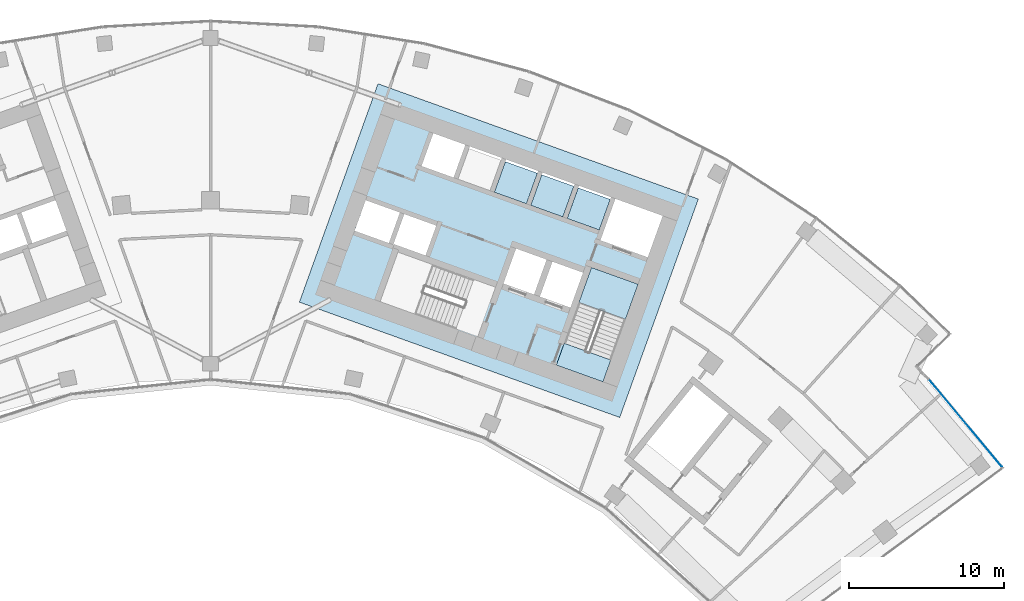
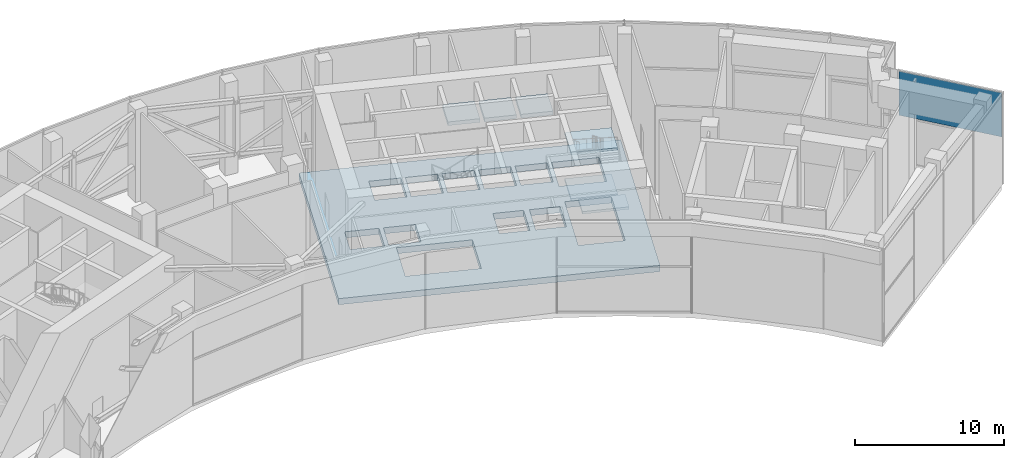
# One storey, part 15 of 26: 7 slabs, 1 plate, 2 elements without a shape of their own.
"""IFC4 building model written with IfcOpenShell, lengths in metres."""

from ifc_helpers import new_model, si_unit, direction, frame, origin, origin_2d, place, context, subcontext, project, spatial, polyline, rectangle, outline, extrude, material, layer, layer_set, type_object, element, aggregate, save


model = new_model("IFC4")

# Units and contexts
model_context = context("Model", 3, precision=1e-05, world=origin(), true_north=direction((0.0, 1.0)))
body_context = subcontext(model_context, "Body", "Model", "MODEL_VIEW")
ifc_project = project(units=[si_unit("LENGTHUNIT", "METRE"), si_unit("AREAUNIT", "SQUARE_METRE"), si_unit("VOLUMEUNIT", "CUBIC_METRE"), si_unit("PLANEANGLEUNIT", "RADIAN"), si_unit("MASSUNIT", "GRAM", prefix="KILO")], contexts=[model_context])

# Site, building, storey
site_placement = place(None, origin())
site = spatial("IfcSite", under=ifc_project, at=site_placement, CompositionType="ELEMENT")
building_placement = place(site_placement, origin())
building = spatial("IfcBuilding", under=site, at=building_placement, Name="Stone Belt Terrace Tower", CompositionType="ELEMENT")
storey_placement = place(building_placement, frame((0.0, 0.0, 250.39990234375)))
storey = spatial("IfcBuildingStorey", under=building, at=storey_placement, Name="L61", CompositionType="ELEMENT", Elevation=250.39990234375)

# Curtain wall, plate
ifc_material_1 = material(Name="Aluminium 6063-T6 anodised frame", Category="aluminium")
ifc_layer_1 = layer(ifc_material_1, 0.14990234375)
ifc_layer_set_1 = layer_set([ifc_layer_1], Name="CW-C stick curtain wall, horn ends and notches")
curtain_wall_type = type_object("IfcCurtainWallType", Name="CW-C stick curtain wall, horn ends and notches", PredefinedType="NOTDEFINED", material=ifc_layer_set_1)
curtain_wall_placement = place(storey_placement, origin())
curtain_wall = element("IfcCurtainWall", 1, at=curtain_wall_placement, inside=storey, type_object=curtain_wall_type, Name="CW-C notch face L61", PredefinedType="NOTDEFINED")
ifc_material_2 = material(Name="Terracotta coloured glazed ceramic", Category="masonry")
ifc_layer_2 = layer(ifc_material_2, 0.028076171875)
ifc_layer_set_2 = layer_set([ifc_layer_2], Name="CW-C ceramic louvre panel 28")
plate_type = type_object("IfcPlateType", Name="CW-C ceramic louvre panel 28", PredefinedType="CURTAIN_PANEL", material=ifc_layer_set_2)
plate_placement = place(storey_placement, frame((48.780517578125, 40.602783203125, 3.860107421875), z_axis=(0.0, 0.0, 1.0), x_axis=(-0.639949612294, 0.768416874961, 0.0)))
plate = element("IfcPlate", 2, at=plate_placement, type_object=plate_type, Name="CW-C louvre panel 1.2", PredefinedType="CURTAIN_PANEL", context=body_context, shape_type="SweptSolid", body=[
    extrude(rectangle(XDim=7.359375, YDim=0.028076171875, at=origin_2d()), origin(), (0.0, 0.0, 1.0), 3.6201171875),
])
aggregate(curtain_wall, [plate])

# Slabs
ifc_material_3 = material(Name="Concrete B40", Category="concrete")
ifc_layer_3 = layer(ifc_material_3, 0.5)
ifc_layer_set_3 = layer_set([ifc_layer_3], Name="Core floor slab 500")
slab_type_1 = type_object("IfcSlabType", Name="Core floor slab 500", PredefinedType="FLOOR", material=ifc_layer_set_3)
slab_1_placement = place(storey_placement, frame((0.0, 0.0, -0.5)))
element("IfcSlab", 3, at=slab_1_placement, inside=storey, type_object=slab_type_1, Name="Core B floor L61", PredefinedType="FLOOR", context=body_context, shape_type="SweptSolid", body=[
    extrude(outline(polyline([(26.43505859375, 40.968994140625), (31.513916015625, 55.0830078125), (10.81396484375, 62.531982421875), (5.735107421875, 48.4189453125), (26.43505859375, 40.968994140625)]), holes=[polyline([(12.10595703125, 51.652099609375), (16.998046875, 49.89208984375), (15.846923828125, 46.69189453125), (10.955078125, 48.452880859375), (12.10595703125, 51.652099609375)]), polyline([(12.511962890625, 54.110107421875), (14.58203125, 53.364990234375), (13.887939453125, 51.43603515625), (11.864990234375, 52.1640625), (11.847900390625, 52.116943359375), (11.801025390625, 52.134033203125), (12.511962890625, 54.110107421875)]), polyline([(9.30810546875, 53.031005859375), (10.01904296875, 55.007080078125), (12.22998046875, 54.2109375), (11.51904296875, 52.235107421875), (9.30810546875, 53.031005859375)]), polyline([(18.333984375, 55.52197265625), (19.095947265625, 57.638916015625), (21.166015625, 56.89404296875), (20.404052734375, 54.777099609375), (18.333984375, 55.52197265625)]), polyline([(16.743896484375, 58.485107421875), (18.81396484375, 57.739990234375), (18.052001953125, 55.623046875), (15.98193359375, 56.367919921875), (16.743896484375, 58.485107421875)]), polyline([(14.39111328125, 59.33203125), (16.4609375, 58.5869140625), (15.699951171875, 56.469970703125), (13.6298828125, 57.215087890625), (14.39111328125, 59.33203125)]), polyline([(27.618896484375, 49.575927734375), (25.85888671875, 44.68408203125), (22.847900390625, 45.76806640625), (24.60791015625, 50.659912109375), (27.618896484375, 49.575927734375)]), polyline([(21.27392578125, 48.778076171875), (22.0869140625, 51.035888671875), (24.06298828125, 50.324951171875), (23.25, 48.06689453125), (21.27392578125, 48.778076171875)]), polyline([(18.922119140625, 49.6240234375), (19.735107421875, 51.883056640625), (21.7109375, 51.1708984375), (20.89794921875, 48.9130859375), (18.922119140625, 49.6240234375)]), polyline([(26.153076171875, 55.09912109375), (29.2109375, 53.9990234375), (28.24609375, 51.31689453125), (25.18798828125, 52.41796875), (26.153076171875, 55.09912109375)]), polyline([(23.801025390625, 55.946044921875), (25.87109375, 55.200927734375), (25.10888671875, 53.083984375), (23.0390625, 53.8291015625), (23.801025390625, 55.946044921875)]), polyline([(21.447998046875, 56.7919921875), (23.51806640625, 56.047119140625), (22.756103515625, 53.929931640625), (20.68603515625, 54.675048828125), (21.447998046875, 56.7919921875)])]), origin(), (0.0, 0.0, 1.0), 0.5),
])
ifc_layer_4 = layer(ifc_material_3, 0.300048828125)
ifc_layer_set_4 = layer_set([ifc_layer_4], Name="Lift pit floor 300")
slab_type_2 = type_object("IfcSlabType", Name="Lift pit floor 300", PredefinedType="FLOOR", material=ifc_layer_set_4)
slab_2_placement = place(storey_placement, frame((0.0, 0.0, 5.5)))
element("IfcSlab", 4, at=slab_2_placement, inside=storey, type_object=slab_type_2, Name="Lift HR pit floor N0", PredefinedType="FLOOR", context=body_context, shape_type="SweptSolid", body=[
    extrude(outline(polyline([(25.10888671875, 53.083740234375), (23.038818359375, 53.82861328125), (23.75, 55.804443359375), (25.81982421875, 55.0595703125), (25.10888671875, 53.083740234375)])), origin(), (0.0, 0.0, 1.0), 0.300048828125),
])
slab_3_placement = place(storey_placement, frame((0.0, 0.0, 5.5)))
element("IfcSlab", 5, at=slab_3_placement, inside=storey, type_object=slab_type_2, Name="Lift HR pit floor N1", PredefinedType="FLOOR", context=body_context, shape_type="SweptSolid", body=[
    extrude(outline(polyline([(22.756591796875, 53.93017578125), (20.6865234375, 54.67529296875), (21.397705078125, 56.651123046875), (23.467529296875, 55.90625), (22.756591796875, 53.93017578125)])), origin(), (0.0, 0.0, 1.0), 0.300048828125),
])
slab_4_placement = place(storey_placement, frame((0.0, 0.0, 5.5)))
element("IfcSlab", 6, at=slab_4_placement, inside=storey, type_object=slab_type_2, Name="Lift HR pit floor N2", PredefinedType="FLOOR", context=body_context, shape_type="SweptSolid", body=[
    extrude(outline(polyline([(20.404296875, 54.77685546875), (18.334228515625, 55.521728515625), (19.045166015625, 57.49755859375), (21.115234375, 56.752685546875), (20.404296875, 54.77685546875)])), origin(), (0.0, 0.0, 1.0), 0.300048828125),
])

# Stair, slabs
stair_type = type_object("IfcStairType", Name="Exit stair 1500", PredefinedType="HALF_TURN_STAIR", material=ifc_material_3)
stair_placement = place(storey_placement, origin())
stair = element("IfcStair", 7, at=stair_placement, inside=storey, type_object=stair_type, Name="L61 Exit stair 1 core B", PredefinedType="HALF_TURN_STAIR")
ifc_layer_5 = layer(ifc_material_3, 0.199951171875)
ifc_layer_set_5 = layer_set([ifc_layer_5], Name="Stair landing 200")
slab_type_3 = type_object("IfcSlabType", Name="Stair landing 200", PredefinedType="LANDING", material=ifc_layer_set_5)
slab_5_placement = place(storey_placement, frame((0.0, 0.0, 1.7001953125)))
slab_5 = element("IfcSlab", 8, at=slab_5_placement, type_object=slab_type_3, Name="ST1B landing 1", PredefinedType="LANDING", context=body_context, shape_type="SweptSolid", body=[
    extrude(outline(polyline([(26.806396484375, 47.3173828125), (27.619384765625, 49.576171875), (24.6083984375, 50.659912109375), (23.79541015625, 48.40087890625), (26.806396484375, 47.3173828125)])), origin(), (0.0, 0.0, 1.0), 0.199951171875),
])
slab_6_placement = place(storey_placement, frame((0.0, 0.0, 3.60009765625)))
slab_6 = element("IfcSlab", 9, at=slab_6_placement, type_object=slab_type_3, Name="ST1B landing 2", PredefinedType="LANDING", context=body_context, shape_type="SweptSolid", body=[
    extrude(outline(polyline([(25.3505859375, 43.27197265625), (25.85888671875, 44.684326171875), (22.847900390625, 45.767822265625), (22.339599609375, 44.355712890625), (25.3505859375, 43.27197265625)])), origin(), (0.0, 0.0, 1.0), 0.199951171875),
])
slab_7_placement = place(storey_placement, frame((0.0, 0.0, 5.5)))
slab_7 = element("IfcSlab", 10, at=slab_7_placement, type_object=slab_type_3, Name="ST1B landing 3", PredefinedType="LANDING", context=body_context, shape_type="SweptSolid", body=[
    extrude(outline(polyline([(26.806396484375, 47.3173828125), (27.619384765625, 49.576171875), (24.6083984375, 50.659912109375), (23.79541015625, 48.40087890625), (26.806396484375, 47.3173828125)])), origin(), (0.0, 0.0, 1.0), 0.2001953125),
])
aggregate(stair, [slab_5, slab_6, slab_7])

save(model, "model.ifc")
